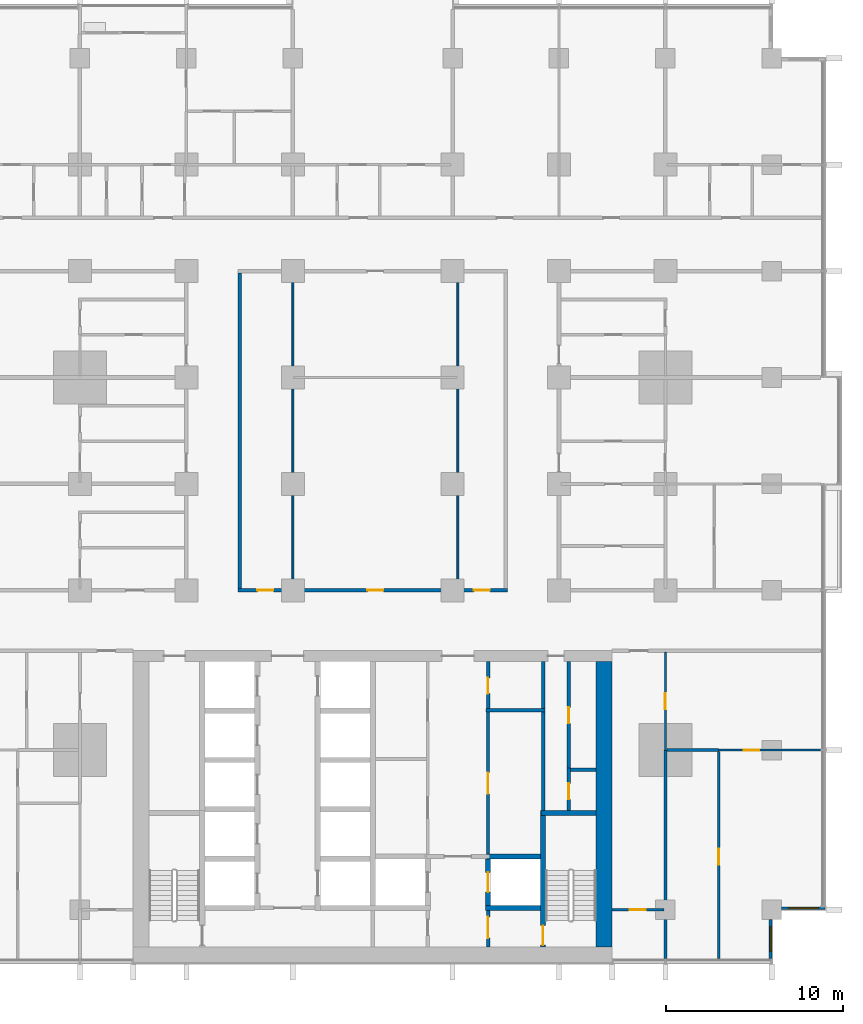
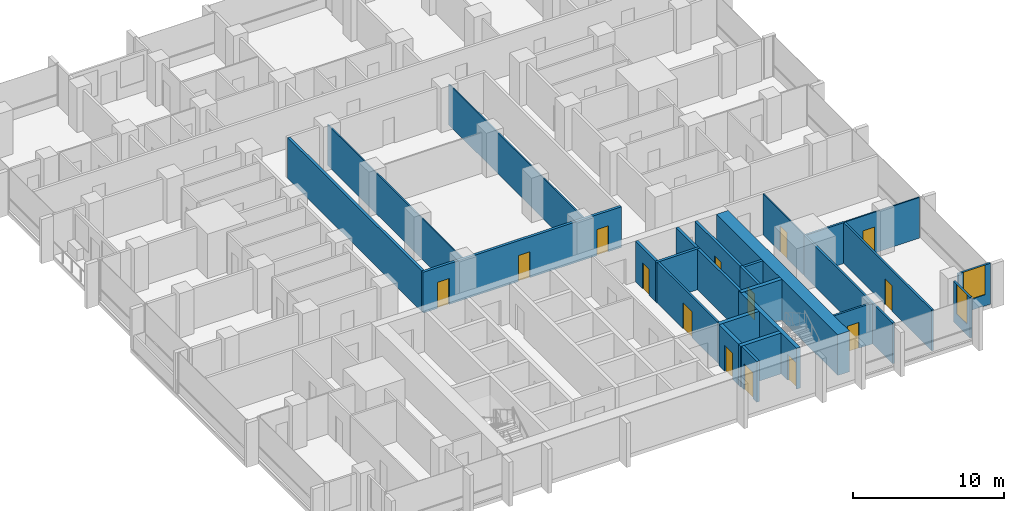
# One storey, part 9 of 17: 27 walls, 14 doors, 2 windows, 16 openings.
"""IFC4 building model written with IfcOpenShell, lengths in metres."""

from ifc_helpers import new_model, si_unit, direction, frame, frame_2d, origin, place, context, subcontext, project, spatial, rectangle, extrude, material, layer, layer_set, type_object, element, fill, save


model = new_model("IFC4")

# Units and contexts
model_context = context("Model", 3, precision=1e-05, world=origin(), true_north=direction((0.0, 1.0)))
body_context = subcontext(model_context, "Body", "Model", "MODEL_VIEW")
ifc_project = project(units=[si_unit("LENGTHUNIT", "METRE"), si_unit("AREAUNIT", "SQUARE_METRE"), si_unit("VOLUMEUNIT", "CUBIC_METRE"), si_unit("PLANEANGLEUNIT", "RADIAN"), si_unit("MASSUNIT", "GRAM", prefix="KILO")], contexts=[model_context])

# Site, building, storey
site_placement = place(None, origin())
site = spatial("IfcSite", under=ifc_project, at=site_placement, CompositionType="ELEMENT")
building_placement = place(site_placement, origin())
building = spatial("IfcBuilding", under=site, at=building_placement, Name="Finial Court Residences", CompositionType="ELEMENT")
storey_placement = place(building_placement, frame((0.0, 0.0, 61.300048828125)))
storey = spatial("IfcBuildingStorey", under=building, at=storey_placement, Name="L14", CompositionType="ELEMENT", Elevation=61.300048828125)

# Wall
ifc_material_1 = material(Name="Concrete C80/95", Category="concrete")
ifc_layer_1 = layer(ifc_material_1, 0.89990234375)
ifc_layer_set_1 = layer_set([ifc_layer_1], Name="Core outer wall 900 Concrete C80/95")
wall_type_1 = type_object("IfcWallType", Name="Core outer wall 900 Concrete C80/95", PredefinedType="SHEAR", material=ifc_layer_set_1)
wall_1_placement = place(storey_placement, frame((13.050048828125, -24.60009765625, 0.0), z_axis=(0.0, 0.0, 1.0), x_axis=(0.0, 1.0, 0.0)))
element("IfcWall", 1, at=wall_1_placement, inside=storey, type_object=wall_type_1, Name="Core outer wall L14-04", PredefinedType="SHEAR", context=body_context, shape_type="SweptSolid", body=[
    extrude(rectangle(XDim=16.10009765625, YDim=0.89990234375, at=frame_2d((8.050048828125, 0.0))), origin(), (0.0, 0.0, 1.0), 3.300048828125),
])

# Wall, opening, door
ifc_material_2 = material(Name="Fire-rated gypsum board partition")
ifc_layer_2 = layer(ifc_material_2, 0.14990234375)
ifc_layer_set_2 = layer_set([ifc_layer_2], Name="Core room partition 150 EI 60")
wall_type_2 = type_object("IfcWallType", Name="Core room partition 150 EI 60", PredefinedType="PARTITIONING", material=ifc_layer_set_2)
wall_2_placement = place(storey_placement, frame((6.5, -11.35009765625, 0.0), z_axis=(0.0, 0.0, 1.0), x_axis=(0.0, -1.0, 0.0)))
wall_2 = element("IfcWall", 2, at=wall_2_placement, inside=storey, type_object=wall_type_2, Name="Core partition L14-32", PredefinedType="PARTITIONING", context=body_context, shape_type="SweptSolid", body=[
    extrude(rectangle(XDim=8.0, YDim=0.14990234375, at=frame_2d((4.0, 0.0))), origin(), (0.0, 0.0, 1.0), 3.300048828125),
])
opening_1_placement = place(wall_2_placement, frame((3.425048828125, 0.0, 0.0)))
opening_1 = element("IfcOpeningElement", 3, at=opening_1_placement, cuts=wall_2, Name="Opening L14-C14", PredefinedType="OPENING", context=body_context, shape_type="SweptSolid", body=[
    extrude(rectangle(XDim=1.199951171875, YDim=2.10009765625, at=frame_2d((0.60009765625, 1.050048828125))), frame((0.0, 0.0849609375, 0.0), z_axis=(0.0, -1.0, 0.0), x_axis=(1.0, 0.0, 0.0)), (0.0, 0.0, 1.0), 0.169921875),
])
ifc_material_3 = material(Name="Steel fire door", Category="steel")
door_type_1 = type_object("IfcDoorType", Name="Core room door 1200 x 2100 EI 60", OperationType="NOTDEFINED", PredefinedType="DOOR", material=ifc_material_3)
door_1_placement = place(opening_1_placement, origin())
door_1 = element("IfcDoor", 4, at=door_1_placement, inside=storey, type_object=door_type_1, Name="Core room door L14-C14", OperationType="SINGLE_SWING_RIGHT", OverallHeight=2.10009765625, OverallWidth=1.199951171875, PredefinedType="DOOR", context=body_context, shape_type="SweptSolid", body=[
    extrude(rectangle(XDim=1.199951171875, YDim=2.10009765625, at=frame_2d((0.60009765625, 1.050048828125))), frame((0.0, 0.02490234375, 0.0), z_axis=(0.0, -1.0, 0.0), x_axis=(1.0, 0.0, 0.0)), (0.0, 0.0, 1.0), 0.050048828125),
])
fill(opening_1, door_1)

# Wall, openings, doors
ifc_material_4 = material(Name="Gypsum board")
ifc_layer_3 = layer(ifc_material_4, 0.02490234375)
ifc_material_5 = material(Name="Acoustic mineral wool in double frame")
ifc_layer_4 = layer(ifc_material_5, 0.14990234375)
ifc_layer_5 = layer(ifc_material_4, 0.02490234375)
ifc_layer_set_3 = layer_set([ifc_layer_3, ifc_layer_4, ifc_layer_5], Name="Corridor wall 200, 1 hour")
wall_type_3 = type_object("IfcWallType", Name="Corridor wall 200, 1 hour", PredefinedType="PARTITIONING", material=ifc_layer_set_3)
wall_3_placement = place(storey_placement, frame((-7.60009765625, -4.5, 0.0), z_axis=(0.0, 0.0, 1.0), x_axis=(1.0, 0.0, 0.0)))
wall_3 = element("IfcWall", 5, at=wall_3_placement, inside=storey, type_object=wall_type_3, Name="Partition L14-010", PredefinedType="PARTITIONING", context=body_context, shape_type="SweptSolid", body=[
    extrude(rectangle(XDim=15.2001953125, YDim=0.199951171875, at=frame_2d((7.60009765625, 0.0))), origin(), (0.0, 0.0, 1.0), 3.300048828125),
])
opening_2_placement = place(wall_3_placement, frame((1.10009765625, 0.0, 0.0)))
opening_2 = element("IfcOpeningElement", 6, at=opening_2_placement, cuts=wall_3, Name="Opening L14-D008", PredefinedType="OPENING", context=body_context, shape_type="SweptSolid", body=[
    extrude(rectangle(XDim=0.89990234375, YDim=2.10009765625, at=frame_2d((0.449951171875, 1.050048828125))), frame((0.0, 0.10986328125, 0.0), z_axis=(0.0, -1.0, 0.0), x_axis=(1.0, 0.0, 0.0)), (0.0, 0.0, 1.0), 0.219970703125),
])
opening_3_placement = place(wall_3_placement, frame((7.300048828125, 0.0, 0.0)))
opening_3 = element("IfcOpeningElement", 7, at=opening_3_placement, cuts=wall_3, Name="Opening L14-D009", PredefinedType="OPENING", context=body_context, shape_type="SweptSolid", body=[
    extrude(rectangle(XDim=0.89990234375, YDim=2.10009765625, at=frame_2d((0.449951171875, 1.050048828125))), frame((0.0, 0.10986328125, 0.0), z_axis=(0.0, -1.0, 0.0), x_axis=(1.0, 0.0, 0.0)), (0.0, 0.0, 1.0), 0.219970703125),
])
opening_4_placement = place(wall_3_placement, frame((13.300048828125, 0.0, 0.0)))
opening_4 = element("IfcOpeningElement", 8, at=opening_4_placement, cuts=wall_3, Name="Opening L14-D010", PredefinedType="OPENING", context=body_context, shape_type="SweptSolid", body=[
    extrude(rectangle(XDim=0.89990234375, YDim=2.10009765625, at=frame_2d((0.449951171875, 1.050048828125))), frame((0.0, 0.10986328125, 0.0), z_axis=(0.0, -1.0, 0.0), x_axis=(1.0, 0.0, 0.0)), (0.0, 0.0, 1.0), 0.219970703125),
])
ifc_material_6 = material(Name="Timber door leaf in hollow metal frame", Category="wood")
door_type_2 = type_object("IfcDoorType", Name="Fire door set 900 x 2100, 30 minutes", OperationType="SINGLE_SWING_LEFT", PredefinedType="DOOR", material=ifc_material_6)
door_2_placement = place(opening_2_placement, origin())
door_2 = element("IfcDoor", 9, at=door_2_placement, inside=storey, type_object=door_type_2, Name="Door L14-D008", OperationType="SINGLE_SWING_RIGHT", OverallHeight=2.10009765625, OverallWidth=0.89990234375, PredefinedType="DOOR", context=body_context, shape_type="SweptSolid", body=[
    extrude(rectangle(XDim=0.89990234375, YDim=2.10009765625, at=frame_2d((0.449951171875, 1.050048828125))), frame((0.0, 0.02490234375, 0.0), z_axis=(0.0, -1.0, 0.0), x_axis=(1.0, 0.0, 0.0)), (0.0, 0.0, 1.0), 0.050048828125),
])
fill(opening_2, door_2)
door_3_placement = place(opening_3_placement, origin())
door_3 = element("IfcDoor", 10, at=door_3_placement, inside=storey, type_object=door_type_2, Name="Door L14-D009", OperationType="SINGLE_SWING_LEFT", OverallHeight=2.10009765625, OverallWidth=0.89990234375, PredefinedType="DOOR", context=body_context, shape_type="SweptSolid", body=[
    extrude(rectangle(XDim=0.89990234375, YDim=2.10009765625, at=frame_2d((0.449951171875, 1.050048828125))), frame((0.0, 0.02490234375, 0.0), z_axis=(0.0, -1.0, 0.0), x_axis=(1.0, 0.0, 0.0)), (0.0, 0.0, 1.0), 0.050048828125),
])
fill(opening_3, door_3)
door_4_placement = place(opening_4_placement, origin())
door_4 = element("IfcDoor", 11, at=door_4_placement, inside=storey, type_object=door_type_2, Name="Door L14-D010", OperationType="SINGLE_SWING_LEFT", OverallHeight=2.10009765625, OverallWidth=0.89990234375, PredefinedType="DOOR", context=body_context, shape_type="SweptSolid", body=[
    extrude(rectangle(XDim=0.89990234375, YDim=2.10009765625, at=frame_2d((0.449951171875, 1.050048828125))), frame((0.0, 0.02490234375, 0.0), z_axis=(0.0, -1.0, 0.0), x_axis=(1.0, 0.0, 0.0)), (0.0, 0.0, 1.0), 0.050048828125),
])
fill(opening_4, door_4)

# Wall
wall_4_placement = place(storey_placement, frame((-7.5, -4.39990234375, 0.0), z_axis=(0.0, 0.0, 1.0), x_axis=(0.0, 1.0, 0.0)))
element("IfcWall", 12, at=wall_4_placement, inside=storey, type_object=wall_type_3, Name="Partition L14-067", PredefinedType="PARTITIONING", context=body_context, shape_type="SweptSolid", body=[
    extrude(rectangle(XDim=17.7998046875, YDim=0.199951171875, at=frame_2d((8.89990234375, 0.0))), origin(), (0.0, 0.0, 1.0), 3.300048828125),
])

# Wall, opening, door
ifc_layer_6 = layer(ifc_material_2, 0.199951171875)
ifc_layer_set_4 = layer_set([ifc_layer_6], Name="Firefighting lobby wall 200 EI 120")
wall_type_4 = type_object("IfcWallType", Name="Firefighting lobby wall 200 EI 120", PredefinedType="PARTITIONING", material=ifc_layer_set_4)
wall_5_placement = place(storey_placement, frame((6.5, -22.550048828125, 0.0), z_axis=(0.0, 0.0, 1.0), x_axis=(0.0, -1.0, 0.0)))
wall_5 = element("IfcWall", 13, at=wall_5_placement, inside=storey, type_object=wall_type_4, Name="Core partition L14-30", PredefinedType="PARTITIONING", context=body_context, shape_type="SweptSolid", body=[
    extrude(rectangle(XDim=2.050048828125, YDim=0.199951171875, at=frame_2d((1.02490234375, 0.0))), origin(), (0.0, 0.0, 1.0), 3.300048828125),
])
opening_5_placement = place(wall_5_placement, frame((0.35009765625, 0.0, 0.0)))
opening_5 = element("IfcOpeningElement", 14, at=opening_5_placement, cuts=wall_5, Name="Opening L14-C01", PredefinedType="OPENING", context=body_context, shape_type="SweptSolid", body=[
    extrude(rectangle(XDim=1.199951171875, YDim=2.10009765625, at=frame_2d((0.60009765625, 1.050048828125))), frame((0.0, 0.10986328125, 0.0), z_axis=(0.0, -1.0, 0.0), x_axis=(1.0, 0.0, 0.0)), (0.0, 0.0, 1.0), 0.219970703125),
])
door_type_3 = type_object("IfcDoorType", Name="Firefighting lobby door 1200 x 2100 EI 90", OperationType="NOTDEFINED", PredefinedType="DOOR", material=ifc_material_3)
door_5_placement = place(opening_5_placement, origin())
door_5 = element("IfcDoor", 15, at=door_5_placement, inside=storey, type_object=door_type_3, Name="Firefighting lobby door L14-C01", OperationType="SINGLE_SWING_RIGHT", OverallHeight=2.10009765625, OverallWidth=1.199951171875, PredefinedType="DOOR", context=body_context, shape_type="SweptSolid", body=[
    extrude(rectangle(XDim=1.199951171875, YDim=2.10009765625, at=frame_2d((0.60009765625, 1.050048828125))), frame((0.0, 0.02490234375, 0.0), z_axis=(0.0, -1.0, 0.0), x_axis=(1.0, 0.0, 0.0)), (0.0, 0.0, 1.0), 0.050048828125),
])
fill(opening_5, door_5)

ifc_layer_7 = layer(ifc_material_4, 0.012451171875)
ifc_material_7 = material(Name="Mineral wool in light-gauge frame")
ifc_layer_8 = layer(ifc_material_7, 0.074951171875)
ifc_layer_9 = layer(ifc_material_4, 0.012451171875)
ifc_layer_set_5 = layer_set([ifc_layer_7, ifc_layer_8, ifc_layer_9], Name="Gypsum board partition 100")
wall_type_5 = type_object("IfcWallType", Name="Gypsum board partition 100", PredefinedType="PARTITIONING", material=ifc_layer_set_5)
wall_6_placement = place(storey_placement, frame((19.5, -13.5, 0.0), z_axis=(0.0, 0.0, 1.0), x_axis=(1.0, 0.0, 0.0)))
wall_6 = element("IfcWall", 16, at=wall_6_placement, inside=storey, type_object=wall_type_5, Name="Partition L14-004", PredefinedType="PARTITIONING", context=body_context, shape_type="SweptSolid", body=[
    extrude(rectangle(XDim=5.75, YDim=0.10009765625, at=frame_2d((2.875, 0.0))), origin(), (0.0, 0.0, 1.0), 3.300048828125),
])
opening_6_placement = place(wall_6_placement, frame((1.39990234375, 0.0, 0.0)))
opening_6 = element("IfcOpeningElement", 17, at=opening_6_placement, cuts=wall_6, Name="Opening L14-D004", PredefinedType="OPENING", context=body_context, shape_type="SweptSolid", body=[
    extrude(rectangle(XDim=0.89990234375, YDim=2.10009765625, at=frame_2d((0.449951171875, 1.050048828125))), frame((0.0, 0.06005859375, 0.0), z_axis=(0.0, -1.0, 0.0), x_axis=(1.0, 0.0, 0.0)), (0.0, 0.0, 1.0), 0.1201171875),
])
ifc_material_8 = material(Name="Timber door leaf in timber frame", Category="wood")
door_type_4 = type_object("IfcDoorType", Name="Door set 900 x 2100", OperationType="SINGLE_SWING_LEFT", PredefinedType="DOOR", material=ifc_material_8)
door_6_placement = place(opening_6_placement, origin())
door_6 = element("IfcDoor", 18, at=door_6_placement, inside=storey, type_object=door_type_4, Name="Door L14-D004", OperationType="SINGLE_SWING_LEFT", OverallHeight=2.10009765625, OverallWidth=0.89990234375, PredefinedType="DOOR", context=body_context, shape_type="SweptSolid", body=[
    extrude(rectangle(XDim=0.89990234375, YDim=2.10009765625, at=frame_2d((0.449951171875, 1.050048828125))), frame((0.0, 0.02490234375, 0.0), z_axis=(0.0, -1.0, 0.0), x_axis=(1.0, 0.0, 0.0)), (0.0, 0.0, 1.0), 0.050048828125),
])
fill(opening_6, door_6)

# Walls
for number, where, z_axis, x_axis, name in (
    (19, (-4.5, -4.39990234375, 0.0), (0.0, 0.0, 1.0), (0.0, 1.0, 0.0), "Partition L14-068"),
    (20, (4.800048828125, -4.39990234375, 0.0), (0.0, 0.0, 1.0), (0.0, 1.0, 0.0), "Partition L14-074"),
):
    element("IfcWall", number, at=place(storey_placement, frame(where, z_axis=z_axis, x_axis=x_axis)), inside=storey, type_object=wall_type_5, Name=name, PredefinedType="PARTITIONING", context=body_context, shape_type="SweptSolid", body=[
        extrude(rectangle(XDim=17.7998046875, YDim=0.10009765625, at=frame_2d((8.89990234375, 0.0))), origin(), (0.0, 0.0, 1.0), 3.300048828125),
    ])

# Wall, opening, door
wall_7_placement = place(storey_placement, frame((16.5, -13.5, 0.0), z_axis=(0.0, 0.0, 1.0), x_axis=(0.0, 1.0, 0.0)))
wall_7 = element("IfcWall", 21, at=wall_7_placement, inside=storey, type_object=wall_type_5, Name="Partition L14-079", PredefinedType="PARTITIONING", context=body_context, shape_type="SweptSolid", body=[
    extrude(rectangle(XDim=5.5, YDim=0.10009765625, at=frame_2d((2.75, 0.0))), origin(), (0.0, 0.0, 1.0), 3.300048828125),
])
opening_7_placement = place(wall_7_placement, frame((2.300048828125, 0.0, 0.0)))
opening_7 = element("IfcOpeningElement", 22, at=opening_7_placement, cuts=wall_7, Name="Opening L14-D052", PredefinedType="OPENING", context=body_context, shape_type="SweptSolid", body=[
    extrude(rectangle(XDim=0.89990234375, YDim=2.10009765625, at=frame_2d((0.449951171875, 1.050048828125))), frame((0.0, 0.06005859375, 0.0), z_axis=(0.0, -1.0, 0.0), x_axis=(1.0, 0.0, 0.0)), (0.0, 0.0, 1.0), 0.1201171875),
])
door_7_placement = place(opening_7_placement, origin())
door_7 = element("IfcDoor", 23, at=door_7_placement, inside=storey, type_object=door_type_4, Name="Door L14-D052", OperationType="SINGLE_SWING_RIGHT", OverallHeight=2.10009765625, OverallWidth=0.89990234375, PredefinedType="DOOR", context=body_context, shape_type="SweptSolid", body=[
    extrude(rectangle(XDim=0.89990234375, YDim=2.10009765625, at=frame_2d((0.449951171875, 1.050048828125))), frame((0.0, 0.02490234375, 0.0), z_axis=(0.0, -1.0, 0.0), x_axis=(1.0, 0.0, 0.0)), (0.0, 0.0, 1.0), 0.050048828125),
])
fill(opening_7, door_7)

ifc_material_9 = material(Name="Moisture-resistant gypsum board")
ifc_layer_10 = layer(ifc_material_9, 0.012451171875)
ifc_layer_11 = layer(ifc_material_7, 0.125)
ifc_layer_12 = layer(ifc_material_9, 0.012451171875)
ifc_layer_set_6 = layer_set([ifc_layer_10, ifc_layer_11, ifc_layer_12], Name="Gypsum board wet-area partition 150")
wall_type_6 = type_object("IfcWallType", Name="Gypsum board wet-area partition 150", PredefinedType="PARTITIONING", material=ifc_layer_set_6)
wall_8_placement = place(storey_placement, frame((13.5, -22.5, 0.0), z_axis=(0.0, 0.0, 1.0), x_axis=(1.0, 0.0, 0.0)))
wall_8 = element("IfcWall", 24, at=wall_8_placement, inside=storey, type_object=wall_type_6, Name="Partition L14-001", PredefinedType="PARTITIONING", context=body_context, shape_type="SweptSolid", body=[
    extrude(rectangle(XDim=2.925048828125, YDim=0.14990234375, at=frame_2d((1.46240234375, 0.0))), origin(), (0.0, 0.0, 1.0), 3.300048828125),
])
opening_8_placement = place(wall_8_placement, frame((1.0, 0.0, 0.0)))
opening_8 = element("IfcOpeningElement", 25, at=opening_8_placement, cuts=wall_8, Name="Opening L14-D002", PredefinedType="OPENING", context=body_context, shape_type="SweptSolid", body=[
    extrude(rectangle(XDim=0.89990234375, YDim=2.10009765625, at=frame_2d((0.449951171875, 1.050048828125))), frame((0.0, 0.0849609375, 0.0), z_axis=(0.0, -1.0, 0.0), x_axis=(1.0, 0.0, 0.0)), (0.0, 0.0, 1.0), 0.169921875),
])
door_8_placement = place(opening_8_placement, origin())
door_8 = element("IfcDoor", 26, at=door_8_placement, inside=storey, type_object=door_type_4, Name="Door L14-D002", OperationType="SINGLE_SWING_RIGHT", OverallHeight=2.10009765625, OverallWidth=0.89990234375, PredefinedType="DOOR", context=body_context, shape_type="SweptSolid", body=[
    extrude(rectangle(XDim=0.89990234375, YDim=2.10009765625, at=frame_2d((0.449951171875, 1.050048828125))), frame((0.0, 0.02490234375, 0.0), z_axis=(0.0, -1.0, 0.0), x_axis=(1.0, 0.0, 0.0)), (0.0, 0.0, 1.0), 0.050048828125),
])
fill(opening_8, door_8)

# Walls
wall_9_placement = place(storey_placement, frame((16.574951171875, -13.5, 0.0), z_axis=(0.0, 0.0, 1.0), x_axis=(1.0, 0.0, 0.0)))
element("IfcWall", 27, at=wall_9_placement, inside=storey, type_object=wall_type_6, Name="Partition L14-006", PredefinedType="PARTITIONING", context=body_context, shape_type="SweptSolid", body=[
    extrude(rectangle(XDim=2.925048828125, YDim=0.14990234375, at=frame_2d((1.46240234375, 0.0))), origin(), (0.0, 0.0, 1.0), 3.300048828125),
])
wall_10_placement = place(storey_placement, frame((16.5, -25.25, 0.0), z_axis=(0.0, 0.0, 1.0), x_axis=(0.0, 1.0, 0.0)))
element("IfcWall", 28, at=wall_10_placement, inside=storey, type_object=wall_type_6, Name="Partition L14-082", PredefinedType="PARTITIONING", context=body_context, shape_type="SweptSolid", body=[
    extrude(rectangle(XDim=11.75, YDim=0.14990234375, at=frame_2d((5.875, 0.0))), origin(), (0.0, 0.0, 1.0), 3.300048828125),
])

# Wall, opening, door
wall_11_placement = place(storey_placement, frame((19.5, -25.25, 0.0), z_axis=(0.0, 0.0, 1.0), x_axis=(0.0, 1.0, 0.0)))
wall_11 = element("IfcWall", 29, at=wall_11_placement, inside=storey, type_object=wall_type_6, Name="Partition L14-088", PredefinedType="PARTITIONING", context=body_context, shape_type="SweptSolid", body=[
    extrude(rectangle(XDim=11.675048828125, YDim=0.14990234375, at=frame_2d((5.83740234375, 0.0))), origin(), (0.0, 0.0, 1.0), 3.300048828125),
])
opening_9_placement = place(wall_11_placement, frame((5.300048828125, 0.0, 0.0)))
opening_9 = element("IfcOpeningElement", 30, at=opening_9_placement, cuts=wall_11, Name="Opening L14-D057", PredefinedType="OPENING", context=body_context, shape_type="SweptSolid", body=[
    extrude(rectangle(XDim=0.89990234375, YDim=2.10009765625, at=frame_2d((0.449951171875, 1.050048828125))), frame((0.0, 0.0849609375, 0.0), z_axis=(0.0, -1.0, 0.0), x_axis=(1.0, 0.0, 0.0)), (0.0, 0.0, 1.0), 0.169921875),
])
door_9_placement = place(opening_9_placement, origin())
door_9 = element("IfcDoor", 31, at=door_9_placement, inside=storey, type_object=door_type_4, Name="Door L14-D057", OperationType="SINGLE_SWING_LEFT", OverallHeight=2.10009765625, OverallWidth=0.89990234375, PredefinedType="DOOR", context=body_context, shape_type="SweptSolid", body=[
    extrude(rectangle(XDim=0.89990234375, YDim=2.10009765625, at=frame_2d((0.449951171875, 1.050048828125))), frame((0.0, 0.02490234375, 0.0), z_axis=(0.0, -1.0, 0.0), x_axis=(1.0, 0.0, 0.0)), (0.0, 0.0, 1.0), 0.050048828125),
])
fill(opening_9, door_9)

# Walls
ifc_layer_13 = layer(ifc_material_1, 0.300048828125)
ifc_layer_set_7 = layer_set([ifc_layer_13], Name="Lift shaft and stair wall 300 Concrete C80/95")
wall_type_7 = type_object("IfcWallType", Name="Lift shaft and stair wall 300 Concrete C80/95", PredefinedType="SHEAR", material=ifc_layer_set_7)
wall_12_placement = place(storey_placement, frame((6.35009765625, -22.39990234375, 0.0), z_axis=(0.0, 0.0, 1.0), x_axis=(1.0, 0.0, 0.0)))
element("IfcWall", 32, at=wall_12_placement, inside=storey, type_object=wall_type_7, Name="Core wall L14-04", PredefinedType="SHEAR", context=body_context, shape_type="SweptSolid", body=[
    extrude(rectangle(XDim=3.099853515625, YDim=0.300048828125, at=frame_2d((1.5498046875, 0.0))), origin(), (0.0, 0.0, 1.0), 3.300048828125),
])
wall_13_placement = place(storey_placement, frame((6.425048828125, -19.5, 0.0), z_axis=(0.0, 0.0, 1.0), x_axis=(1.0, 0.0, 0.0)))
element("IfcWall", 33, at=wall_13_placement, inside=storey, type_object=wall_type_7, Name="Core wall L14-09", PredefinedType="SHEAR", context=body_context, shape_type="SweptSolid", body=[
    extrude(rectangle(XDim=3.02490234375, YDim=0.300048828125, at=frame_2d((1.512451171875, 0.0))), origin(), (0.0, 0.0, 1.0), 3.300048828125),
])
wall_14_placement = place(storey_placement, frame((9.5, -17.050048828125, 0.0), z_axis=(0.0, 0.0, 1.0), x_axis=(1.0, 0.0, 0.0)))
element("IfcWall", 34, at=wall_14_placement, inside=storey, type_object=wall_type_7, Name="Core wall L14-11", PredefinedType="SHEAR", context=body_context, shape_type="SweptSolid", body=[
    extrude(rectangle(XDim=3.10009765625, YDim=0.300048828125, at=frame_2d((1.550048828125, 0.0))), origin(), (0.0, 0.0, 1.0), 3.300048828125),
])

# Wall, opening, door
wall_15_placement = place(storey_placement, frame((6.5, -22.25, 0.0), z_axis=(0.0, 0.0, 1.0), x_axis=(0.0, 1.0, 0.0)))
wall_15 = element("IfcWall", 35, at=wall_15_placement, inside=storey, type_object=wall_type_7, Name="Core wall L14-31", PredefinedType="SHEAR", context=body_context, shape_type="SweptSolid", body=[
    extrude(rectangle(XDim=2.60009765625, YDim=0.300048828125, at=frame_2d((1.300048828125, 0.0))), origin(), (0.0, 0.0, 1.0), 3.300048828125),
])
opening_10_placement = place(wall_15_placement, frame((0.75, 0.0, 0.0)))
opening_10 = element("IfcOpeningElement", 36, at=opening_10_placement, cuts=wall_15, Name="Opening L14-LD02", PredefinedType="OPENING", context=body_context, shape_type="SweptSolid", body=[
    extrude(rectangle(XDim=1.10009765625, YDim=2.10009765625, at=frame_2d((0.550048828125, 1.050048828125))), frame((0.0, 0.159912109375, 0.0), z_axis=(0.0, -1.0, 0.0), x_axis=(1.0, 0.0, 0.0)), (0.0, 0.0, 1.0), 0.320068359375),
])
ifc_material_10 = material(Name="Stainless steel lift door", Category="steel")
door_type_5 = type_object("IfcDoorType", Name="Lift landing door 1100 x 2100 EI 90", OperationType="DOUBLE_DOOR_SLIDING", PredefinedType="DOOR", material=ifc_material_10)
door_10_placement = place(opening_10_placement, origin())
door_10 = element("IfcDoor", 37, at=door_10_placement, inside=storey, type_object=door_type_5, Name="Lift landing door FF2 L14", OperationType="DOUBLE_DOOR_SLIDING", OverallHeight=2.10009765625, OverallWidth=1.10009765625, PredefinedType="DOOR", context=body_context, shape_type="SweptSolid", body=[
    extrude(rectangle(XDim=1.10009765625, YDim=2.10009765625, at=frame_2d((0.550048828125, 1.050048828125))), frame((0.0, 0.02490234375, 0.0), z_axis=(0.0, -1.0, 0.0), x_axis=(1.0, 0.0, 0.0)), (0.0, 0.0, 1.0), 0.050048828125),
])
fill(opening_10, door_10)

wall_16_placement = place(storey_placement, frame((9.60009765625, -16.89990234375, 0.0), z_axis=(0.0, 0.0, 1.0), x_axis=(0.0, -1.0, 0.0)))
wall_16 = element("IfcWall", 38, at=wall_16_placement, inside=storey, type_object=wall_type_7, Name="Core wall L14-34", PredefinedType="SHEAR", context=body_context, shape_type="SweptSolid", body=[
    extrude(rectangle(XDim=7.7001953125, YDim=0.300048828125, at=frame_2d((3.85009765625, 0.0))), origin(), (0.0, 0.0, 1.0), 3.300048828125),
])
opening_11_placement = place(wall_16_placement, frame((6.5, 0.0, 0.0)))
opening_11 = element("IfcOpeningElement", 39, at=opening_11_placement, cuts=wall_16, Name="Opening L14-C16", PredefinedType="OPENING", context=body_context, shape_type="SweptSolid", body=[
    extrude(rectangle(XDim=1.10009765625, YDim=2.10009765625, at=frame_2d((0.550048828125, 1.050048828125))), frame((0.0, 0.159912109375, 0.0), z_axis=(0.0, -1.0, 0.0), x_axis=(1.0, 0.0, 0.0)), (0.0, 0.0, 1.0), 0.320068359375),
])
door_type_6 = type_object("IfcDoorType", Name="Stair door 1100 x 2100 EI 90", OperationType="NOTDEFINED", PredefinedType="DOOR", material=ifc_material_3)
door_11_placement = place(opening_11_placement, origin())
door_11 = element("IfcDoor", 40, at=door_11_placement, inside=storey, type_object=door_type_6, Name="Stair door L14-C16", OperationType="SINGLE_SWING_RIGHT", OverallHeight=2.10009765625, OverallWidth=1.10009765625, PredefinedType="DOOR", context=body_context, shape_type="SweptSolid", body=[
    extrude(rectangle(XDim=1.10009765625, YDim=2.10009765625, at=frame_2d((0.550048828125, 1.050048828125))), frame((0.0, 0.02490234375, 0.0), z_axis=(0.0, -1.0, 0.0), x_axis=(1.0, 0.0, 0.0)), (0.0, 0.0, 1.0), 0.050048828125),
])
fill(opening_11, door_11)

# Wall, opening, window
ifc_material_11 = material(Name="Natural limestone", Category="masonry")
ifc_layer_14 = layer(ifc_material_11, 0.14990234375)
ifc_layer_set_8 = layer_set([ifc_layer_14], Name="Limestone clad wall 150")
wall_type_8 = type_object("IfcWallType", Name="Limestone clad wall 150", PredefinedType="SOLIDWALL", material=ifc_layer_set_8)
wall_17_placement = place(storey_placement, frame((22.425048828125, -23.050048828125, 0.0), z_axis=(0.0, 0.0, 1.0), x_axis=(0.0, -1.0, 0.0)))
wall_17 = element("IfcWall", 41, at=wall_17_placement, inside=storey, type_object=wall_type_8, Name="E-L14-NWE16", PredefinedType="SOLIDWALL", context=body_context, shape_type="SweptSolid", body=[
    extrude(rectangle(XDim=2.199951171875, YDim=0.14990234375, at=frame_2d((1.10009765625, 0.0))), origin(), (0.0, 0.0, 1.0), 3.300048828125),
])
opening_12_placement = place(wall_17_placement, frame((0.39990234375, 0.0, 0.89990234375)))
opening_12 = element("IfcOpeningElement", 42, at=opening_12_placement, cuts=wall_17, Name="Opening WE14-03", PredefinedType="OPENING", context=body_context, shape_type="SweptSolid", body=[
    extrude(rectangle(XDim=1.39990234375, YDim=2.39990234375, at=frame_2d((0.699951171875, 1.199951171875))), frame((0.0, 0.0849609375, 0.0), z_axis=(0.0, -1.0, 0.0), x_axis=(1.0, 0.0, 0.0)), (0.0, 0.0, 1.0), 0.169921875),
])
ifc_material_12 = material(Name="Clear low-e glass", Category="glass")
window_type_1 = type_object("IfcWindowType", Name="Corner window 1400 x 2400", PartitioningType="SINGLE_PANEL", PredefinedType="WINDOW", material=ifc_material_12)
window_1_placement = place(opening_12_placement, origin())
window_1 = element("IfcWindow", 43, at=window_1_placement, inside=storey, type_object=window_type_1, Name="E-L14-NWE16-W1", OverallHeight=2.39990234375, OverallWidth=1.39990234375, PartitioningType="SINGLE_PANEL", PredefinedType="WINDOW", context=body_context, shape_type="SweptSolid", body=[
    extrude(rectangle(XDim=1.39990234375, YDim=2.39990234375, at=frame_2d((0.699951171875, 1.199951171875))), frame((0.0, 0.030029296875, 0.0), z_axis=(0.0, -1.0, 0.0), x_axis=(1.0, 0.0, 0.0)), (0.0, 0.0, 1.0), 0.06005859375),
])
fill(opening_12, window_1)

wall_18_placement = place(storey_placement, frame((25.5, -22.425048828125, 0.0), z_axis=(0.0, 0.0, 1.0), x_axis=(-1.0, 0.0, 0.0)))
wall_18 = element("IfcWall", 44, at=wall_18_placement, inside=storey, type_object=wall_type_8, Name="E-L14-NWS17", PredefinedType="SOLIDWALL", context=body_context, shape_type="SweptSolid", body=[
    extrude(rectangle(XDim=2.449951171875, YDim=0.14990234375, at=frame_2d((1.22509765625, 0.0))), origin(), (0.0, 0.0, 1.0), 3.300048828125),
])
opening_13_placement = place(wall_18_placement, frame((0.39990234375, 0.0, 0.89990234375)))
opening_13 = element("IfcOpeningElement", 45, at=opening_13_placement, cuts=wall_18, Name="Opening WE14-04", PredefinedType="OPENING", context=body_context, shape_type="SweptSolid", body=[
    extrude(rectangle(XDim=1.64990234375, YDim=2.39990234375, at=frame_2d((0.824951171875, 1.199951171875))), frame((0.0, 0.0849609375, 0.0), z_axis=(0.0, -1.0, 0.0), x_axis=(1.0, 0.0, 0.0)), (0.0, 0.0, 1.0), 0.169921875),
])
window_type_2 = type_object("IfcWindowType", Name="Corner window 1650 x 2400", PartitioningType="SINGLE_PANEL", PredefinedType="WINDOW", material=ifc_material_12)
window_2_placement = place(opening_13_placement, origin())
window_2 = element("IfcWindow", 46, at=window_2_placement, inside=storey, type_object=window_type_2, Name="E-L14-NWS17-W1", OverallHeight=2.39990234375, OverallWidth=1.64990234375, PartitioningType="SINGLE_PANEL", PredefinedType="WINDOW", context=body_context, shape_type="SweptSolid", body=[
    extrude(rectangle(XDim=1.64990234375, YDim=2.39990234375, at=frame_2d((0.824951171875, 1.199951171875))), frame((0.0, 0.030029296875, 0.0), z_axis=(0.0, -1.0, 0.0), x_axis=(1.0, 0.0, 0.0)), (0.0, 0.0, 1.0), 0.06005859375),
])
fill(opening_13, window_2)

# Walls
ifc_layer_15 = layer(ifc_material_2, 0.199951171875)
ifc_layer_set_9 = layer_set([ifc_layer_15], Name="Riser room wall 200 EI 120")
wall_type_9 = type_object("IfcWallType", Name="Riser room wall 200 EI 120", PredefinedType="PARTITIONING", material=ifc_layer_set_9)
wall_19_placement = place(storey_placement, frame((11.14990234375, -14.60009765625, 0.0), z_axis=(0.0, 0.0, 1.0), x_axis=(1.0, 0.0, 0.0)))
element("IfcWall", 47, at=wall_19_placement, inside=storey, type_object=wall_type_9, Name="Core partition L14-14", PredefinedType="PARTITIONING", context=body_context, shape_type="SweptSolid", body=[
    extrude(rectangle(XDim=1.4501953125, YDim=0.199951171875, at=frame_2d((0.72509765625, 0.0))), origin(), (0.0, 0.0, 1.0), 3.300048828125),
])
wall_20_placement = place(storey_placement, frame((6.39990234375, -11.25, 0.0), z_axis=(0.0, 0.0, 1.0), x_axis=(1.0, 0.0, 0.0)))
element("IfcWall", 48, at=wall_20_placement, inside=storey, type_object=wall_type_9, Name="Core partition L14-20", PredefinedType="PARTITIONING", context=body_context, shape_type="SweptSolid", body=[
    extrude(rectangle(XDim=3.300048828125, YDim=0.199951171875, at=frame_2d((1.64990234375, 0.0))), origin(), (0.0, 0.0, 1.0), 3.300048828125),
])

# Wall, opening, door
wall_21_placement = place(storey_placement, frame((6.5, -8.5, 0.0), z_axis=(0.0, 0.0, 1.0), x_axis=(0.0, -1.0, 0.0)))
wall_21 = element("IfcWall", 49, at=wall_21_placement, inside=storey, type_object=wall_type_9, Name="Core partition L14-33", PredefinedType="PARTITIONING", context=body_context, shape_type="SweptSolid", body=[
    extrude(rectangle(XDim=2.64990234375, YDim=0.199951171875, at=frame_2d((1.324951171875, 0.0))), origin(), (0.0, 0.0, 1.0), 3.300048828125),
])
opening_14_placement = place(wall_21_placement, frame((0.925048828125, 0.0, 0.0)))
opening_14 = element("IfcOpeningElement", 50, at=opening_14_placement, cuts=wall_21, Name="Opening L14-C08", PredefinedType="OPENING", context=body_context, shape_type="SweptSolid", body=[
    extrude(rectangle(XDim=0.89990234375, YDim=2.10009765625, at=frame_2d((0.449951171875, 1.050048828125))), frame((0.0, 0.10986328125, 0.0), z_axis=(0.0, -1.0, 0.0), x_axis=(1.0, 0.0, 0.0)), (0.0, 0.0, 1.0), 0.219970703125),
])
door_type_7 = type_object("IfcDoorType", Name="Riser room door 900 x 2100 EI 90", OperationType="NOTDEFINED", PredefinedType="DOOR", material=ifc_material_3)
door_12_placement = place(opening_14_placement, origin())
door_12 = element("IfcDoor", 51, at=door_12_placement, inside=storey, type_object=door_type_7, Name="Riser room door L14-C08", OperationType="SINGLE_SWING_RIGHT", OverallHeight=2.10009765625, OverallWidth=0.89990234375, PredefinedType="DOOR", context=body_context, shape_type="SweptSolid", body=[
    extrude(rectangle(XDim=0.89990234375, YDim=2.10009765625, at=frame_2d((0.449951171875, 1.050048828125))), frame((0.0, 0.02490234375, 0.0), z_axis=(0.0, -1.0, 0.0), x_axis=(1.0, 0.0, 0.0)), (0.0, 0.0, 1.0), 0.050048828125),
])
fill(opening_14, door_12)

# Wall
wall_22_placement = place(storey_placement, frame((9.60009765625, -11.14990234375, 0.0), z_axis=(0.0, 0.0, 1.0), x_axis=(0.0, 1.0, 0.0)))
element("IfcWall", 52, at=wall_22_placement, inside=storey, type_object=wall_type_9, Name="Core partition L14-36", PredefinedType="PARTITIONING", context=body_context, shape_type="SweptSolid", body=[
    extrude(rectangle(XDim=2.64990234375, YDim=0.199951171875, at=frame_2d((1.324951171875, 0.0))), origin(), (0.0, 0.0, 1.0), 3.300048828125),
])

# Wall, opening, door
wall_23_placement = place(storey_placement, frame((11.050048828125, -8.5, 0.0), z_axis=(0.0, 0.0, 1.0), x_axis=(0.0, -1.0, 0.0)))
wall_23 = element("IfcWall", 53, at=wall_23_placement, inside=storey, type_object=wall_type_9, Name="Core partition L14-38", PredefinedType="PARTITIONING", context=body_context, shape_type="SweptSolid", body=[
    extrude(rectangle(XDim=6.199951171875, YDim=0.199951171875, at=frame_2d((3.10009765625, 0.0))), origin(), (0.0, 0.0, 1.0), 3.300048828125),
])
opening_15_placement = place(wall_23_placement, frame((2.60009765625, 0.0, 0.0)))
opening_15 = element("IfcOpeningElement", 54, at=opening_15_placement, cuts=wall_23, Name="Opening L14-C07", PredefinedType="OPENING", context=body_context, shape_type="SweptSolid", body=[
    extrude(rectangle(XDim=0.89990234375, YDim=2.10009765625, at=frame_2d((0.449951171875, 1.050048828125))), frame((0.0, 0.10986328125, 0.0), z_axis=(0.0, -1.0, 0.0), x_axis=(1.0, 0.0, 0.0)), (0.0, 0.0, 1.0), 0.219970703125),
])
door_13_placement = place(opening_15_placement, origin())
door_13 = element("IfcDoor", 55, at=door_13_placement, inside=storey, type_object=door_type_7, Name="Riser room door L14-C07", OperationType="SINGLE_SWING_RIGHT", OverallHeight=2.10009765625, OverallWidth=0.89990234375, PredefinedType="DOOR", context=body_context, shape_type="SweptSolid", body=[
    extrude(rectangle(XDim=0.89990234375, YDim=2.10009765625, at=frame_2d((0.449951171875, 1.050048828125))), frame((0.0, 0.02490234375, 0.0), z_axis=(0.0, -1.0, 0.0), x_axis=(1.0, 0.0, 0.0)), (0.0, 0.0, 1.0), 0.050048828125),
])
fill(opening_15, door_13)

# Wall
ifc_layer_16 = layer(ifc_material_2, 0.199951171875)
ifc_layer_set_10 = layer_set([ifc_layer_16], Name="Stair passage wall 200 EI 180")
wall_type_10 = type_object("IfcWallType", Name="Stair passage wall 200 EI 180", PredefinedType="PARTITIONING", material=ifc_layer_set_10)
wall_24_placement = place(storey_placement, frame((9.60009765625, -16.89990234375, 0.0), z_axis=(0.0, 0.0, 1.0), x_axis=(0.0, 1.0, 0.0)))
element("IfcWall", 56, at=wall_24_placement, inside=storey, type_object=wall_type_10, Name="Core partition L14-35", PredefinedType="PARTITIONING", context=body_context, shape_type="SweptSolid", body=[
    extrude(rectangle(XDim=5.75, YDim=0.199951171875, at=frame_2d((2.875, 0.0))), origin(), (0.0, 0.0, 1.0), 3.300048828125),
])

# Wall, opening, door
wall_25_placement = place(storey_placement, frame((11.050048828125, -14.5, 0.0), z_axis=(0.0, 0.0, 1.0), x_axis=(0.0, -1.0, 0.0)))
wall_25 = element("IfcWall", 57, at=wall_25_placement, inside=storey, type_object=wall_type_10, Name="Core partition L14-37", PredefinedType="PARTITIONING", context=body_context, shape_type="SweptSolid", body=[
    extrude(rectangle(XDim=2.39990234375, YDim=0.199951171875, at=frame_2d((1.199951171875, 0.0))), origin(), (0.0, 0.0, 1.0), 3.300048828125),
])
opening_16_placement = place(wall_25_placement, frame((0.875, 0.0, 0.0)))
opening_16 = element("IfcOpeningElement", 58, at=opening_16_placement, cuts=wall_25, Name="Opening L14-C11", PredefinedType="OPENING", context=body_context, shape_type="SweptSolid", body=[
    extrude(rectangle(XDim=0.89990234375, YDim=2.10009765625, at=frame_2d((0.449951171875, 1.050048828125))), frame((0.0, 0.10986328125, 0.0), z_axis=(0.0, -1.0, 0.0), x_axis=(1.0, 0.0, 0.0)), (0.0, 0.0, 1.0), 0.219970703125),
])
door_type_8 = type_object("IfcDoorType", Name="Core room door 900 x 2100 EI 60", OperationType="NOTDEFINED", PredefinedType="DOOR", material=ifc_material_3)
door_14_placement = place(opening_16_placement, origin())
door_14 = element("IfcDoor", 59, at=door_14_placement, inside=storey, type_object=door_type_8, Name="Core room door L14-C11", OperationType="SINGLE_SWING_LEFT", OverallHeight=2.10009765625, OverallWidth=0.89990234375, PredefinedType="DOOR", context=body_context, shape_type="SweptSolid", body=[
    extrude(rectangle(XDim=0.89990234375, YDim=2.10009765625, at=frame_2d((0.449951171875, 1.050048828125))), frame((0.0, 0.02490234375, 0.0), z_axis=(0.0, -1.0, 0.0), x_axis=(1.0, 0.0, 0.0)), (0.0, 0.0, 1.0), 0.050048828125),
])
fill(opening_16, door_14)

save(model, "model.ifc")
